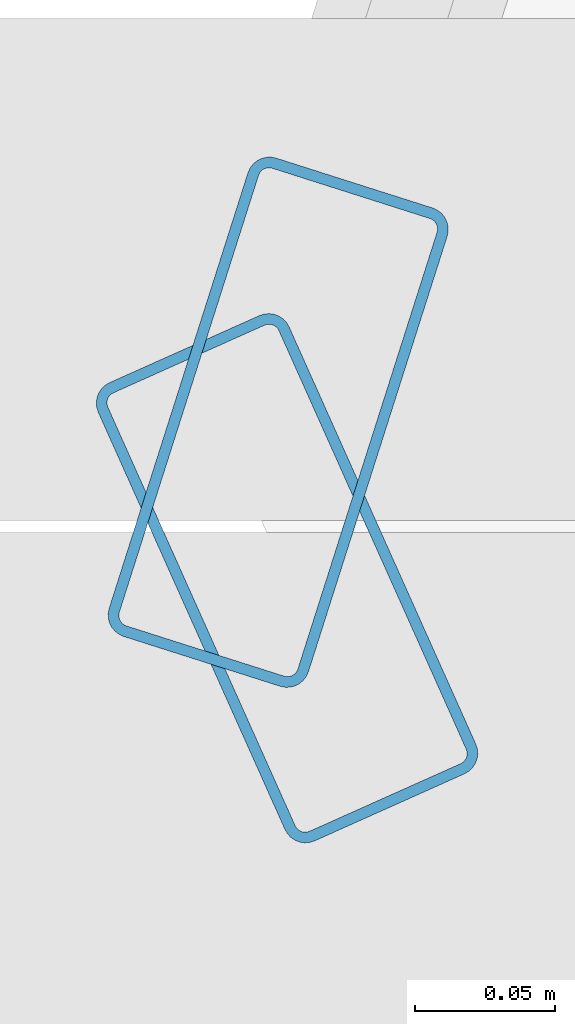
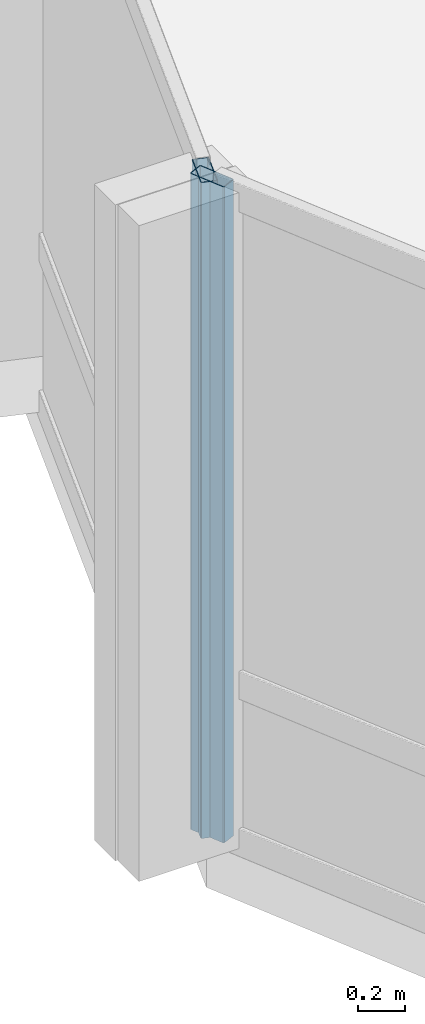
# One storey, part 6 of 19: 2 members, 2 elements without a shape of their own.
"""IFC4 building model written with IfcOpenShell, lengths in metres."""

from ifc_helpers import new_model, si_unit, direction, frame, origin, origin_2d, place, context, subcontext, project, spatial, hollow_rectangle, extrude, material, layer, layer_set, material_profile, profile_set, type_object, element, aggregate, save


model = new_model("IFC4")

# Units and contexts
model_context = context("Model", 3, precision=1e-05, world=origin(), true_north=direction((0.0, 1.0)))
body_context = subcontext(model_context, "Body", "Model", "MODEL_VIEW")
ifc_project = project(units=[si_unit("LENGTHUNIT", "METRE"), si_unit("AREAUNIT", "SQUARE_METRE"), si_unit("VOLUMEUNIT", "CUBIC_METRE"), si_unit("PLANEANGLEUNIT", "RADIAN"), si_unit("MASSUNIT", "GRAM", prefix="KILO")], contexts=[model_context])

# Site, building, storey
site_placement = place(None, origin())
site = spatial("IfcSite", under=ifc_project, at=site_placement, CompositionType="ELEMENT")
building_placement = place(site_placement, origin())
building = spatial("IfcBuilding", under=site, at=building_placement, Name="Solvaryn Broadcast Tower", CompositionType="ELEMENT")
storey_placement = place(building_placement, frame((0.0, 0.0, 266.699951171875)))
storey = spatial("IfcBuildingStorey", under=building, at=storey_placement, Name="L67", CompositionType="ELEMENT", Elevation=266.699951171875)

# Curtain wall, member
ifc_material_1 = material(Name="Aluminium and Terracotta Unitised Curtain Wall", Category="masonry")
ifc_layer_1 = layer(ifc_material_1, 0.199951171875)
ifc_layer_set_1 = layer_set([ifc_layer_1], Name="CW-SYS2-LOWMID")
curtain_wall_type_1 = type_object("IfcCurtainWallType", Name="CW-SYS2-LOWMID", PredefinedType="NOTDEFINED", material=ifc_layer_set_1)
curtain_wall_1_placement = place(storey_placement, origin())
curtain_wall_1 = element("IfcCurtainWall", 1, at=curtain_wall_1_placement, inside=storey, type_object=curtain_wall_type_1, Name="L67 Curtain Wall DR1", PredefinedType="NOTDEFINED")
ifc_material_2 = material(Name="Anodised Aluminium 6063-T6", Category="aluminium")
ifc_material_profile = material_profile(ifc_material_2, hollow_rectangle(XDim=0.074951171875, YDim=0.179931640625, WallThickness=0.00390625, InnerFilletRadius=0.00390625, OuterFilletRadius=0.008056640625, at=origin_2d()))
ifc_profile_set = profile_set([ifc_material_profile], Name="Anodised Aluminium 6063-T6")
member_type = type_object("IfcMemberType", Name="CW-MUL-180", PredefinedType="MULLION", material=ifc_profile_set)
member_1_placement = place(storey_placement, frame((3.7470703125, 26.66455078125, 0.0), z_axis=(0.0, 0.0, 1.0), x_axis=(0.952794594701, -0.30361564569, 0.0)))
member_1 = element("IfcMember", 2, at=member_1_placement, type_object=member_type, Name="CWS2 mullion 2", PredefinedType="MULLION", context=body_context, shape_type="SweptSolid", body=[
    extrude(hollow_rectangle(XDim=0.074951171875, YDim=0.179931640625, WallThickness=0.00390625, InnerFilletRadius=0.00390625, OuterFilletRadius=0.008056640625, at=origin_2d()), origin(), (0.0, 0.0, 1.0), 3.420166015625),
])
aggregate(curtain_wall_1, [member_1])

ifc_material_3 = material(Name="Aluminium and Terracotta Unitised Curtain Wall", Category="masonry")
ifc_layer_2 = layer(ifc_material_3, 0.239990234375)
ifc_layer_set_2 = layer_set([ifc_layer_2], Name="CW-SYS3-BAYBOX")
curtain_wall_type_2 = type_object("IfcCurtainWallType", Name="CW-SYS3-BAYBOX", PredefinedType="NOTDEFINED", material=ifc_layer_set_2)
curtain_wall_2_placement = place(storey_placement, origin())
curtain_wall_2 = element("IfcCurtainWall", 3, at=curtain_wall_2_placement, inside=storey, type_object=curtain_wall_type_2, Name="L67 Curtain Wall DR2", PredefinedType="NOTDEFINED")
member_2_placement = place(storey_placement, frame((3.750244140625, 26.608642578125, 0.0), z_axis=(0.0, 0.0, 1.0), x_axis=(0.912773530574, 0.408466010682, 0.0)))
member_2 = element("IfcMember", 4, at=member_2_placement, type_object=member_type, Name="CWS3 mullion 1", PredefinedType="MULLION", context=body_context, shape_type="SweptSolid", body=[
    extrude(hollow_rectangle(XDim=0.074951171875, YDim=0.179931640625, WallThickness=0.00390625, InnerFilletRadius=0.00390625, OuterFilletRadius=0.008056640625, at=origin_2d()), origin(), (0.0, 0.0, 1.0), 3.420166015625),
])
aggregate(curtain_wall_2, [member_2])

save(model, "model.ifc")
